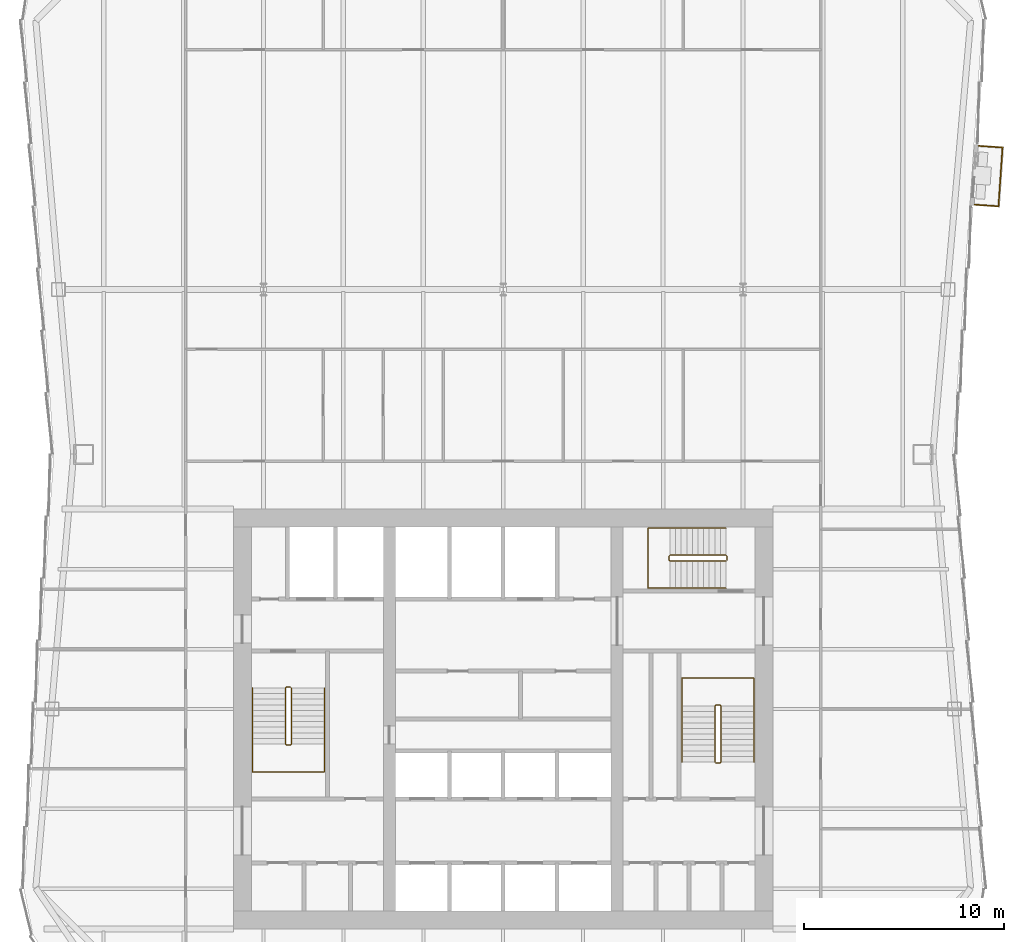
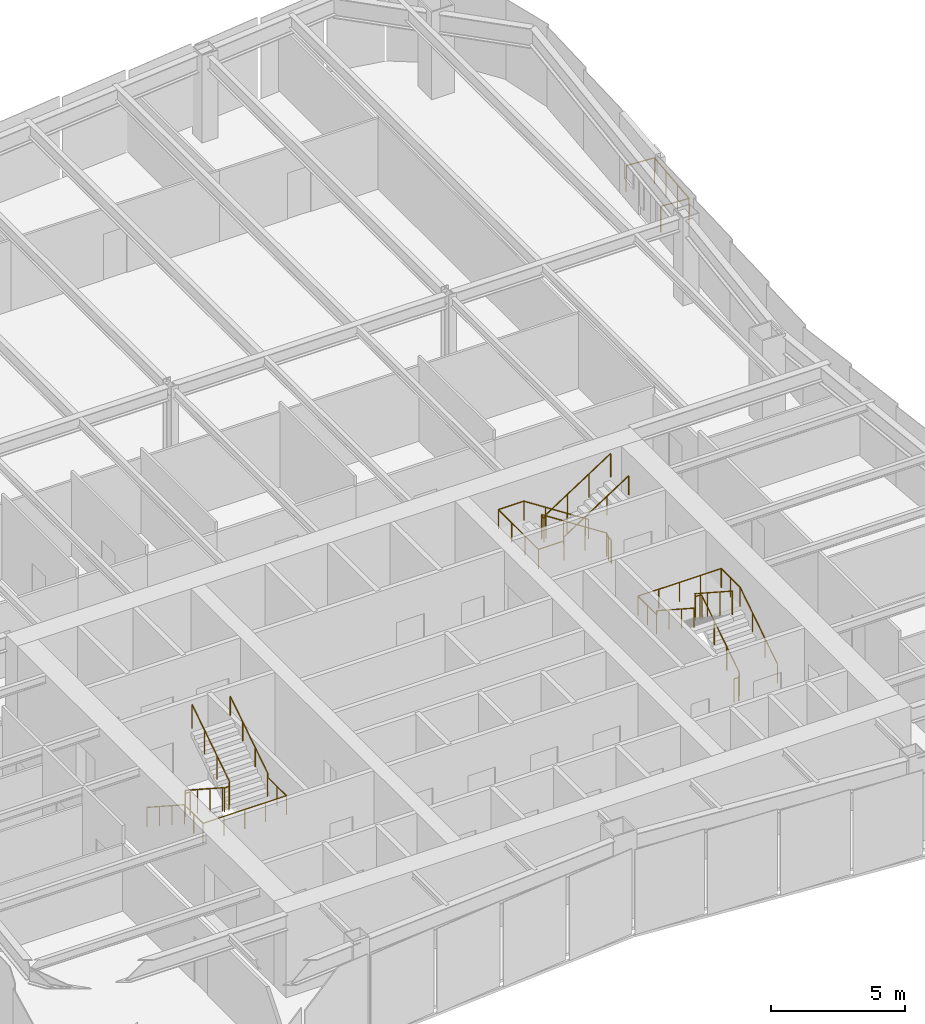
# One storey, part 9 of 10: 7 railings.
"""IFC4 building model written with IfcOpenShell, lengths in metres."""

from ifc_helpers import new_model, si_unit, direction, frame, origin, origin_2d, place, context, subcontext, project, spatial, circle, extrude, material, type_object, element, save


model = new_model("IFC4")

# Units and contexts
model_context = context("Model", 3, precision=1e-05, world=origin(), true_north=direction((0.0, 1.0)))
body_context = subcontext(model_context, "Body", "Model", "MODEL_VIEW")
ifc_project = project(units=[si_unit("LENGTHUNIT", "METRE"), si_unit("AREAUNIT", "SQUARE_METRE"), si_unit("VOLUMEUNIT", "CUBIC_METRE"), si_unit("PLANEANGLEUNIT", "RADIAN"), si_unit("MASSUNIT", "GRAM", prefix="KILO")], contexts=[model_context])

# Site, building, storey
site_placement = place(None, origin())
site = spatial("IfcSite", under=ifc_project, at=site_placement, CompositionType="ELEMENT")
building_placement = place(site_placement, origin())
building = spatial("IfcBuilding", under=site, at=building_placement, Name="Verdant Reach Tower", CompositionType="ELEMENT")
storey_placement = place(building_placement, frame((0.0, 0.0, 198.0)))
storey = spatial("IfcBuildingStorey", under=building, at=storey_placement, Name="L45", CompositionType="ELEMENT", Elevation=198.0)

# Railings
ifc_material_1 = material(Name="Stainless steel", Category="steel")
railing_type_1 = type_object("IfcRailingType", Name="CO-GUARD", PredefinedType="GUARDRAIL", material=ifc_material_1)
railing_1_placement = place(storey_placement, frame((-10.64990234375, 29.60009765625, 0.0)))
element("IfcRailing", 1, at=railing_1_placement, inside=storey, type_object=railing_type_1, Name="L45 ST-1 stair guard 1", PredefinedType="GUARDRAIL", context=body_context, shape_type="SweptSolid", body=[
    extrude(circle(Radius=0.02392578125, at=origin_2d()), frame((0.0, 0.0, 1.076171875), z_axis=(-1.0, 0.0, 0.0), x_axis=(0.0, -1.0, 0.0)), (0.0, 0.0, 1.0), 0.2001953125),
    extrude(circle(Radius=0.02392578125, at=origin_2d()), frame((-0.2001953125, 0.0, 1.076171875), z_axis=(-0.25526617399, -0.256517478764, 0.932222056972), x_axis=(0.708833529934, -0.705375805398, 0.0)), (0.0, 0.0, 1.0), 0.195068359375),
    extrude(circle(Radius=0.02392578125, at=origin_2d()), frame((-0.25, -0.050048828125, 1.2578125), z_axis=(0.0, -0.838705829183, 0.544584733623), x_axis=(1.0, 0.0, 0.0)), (0.0, 0.0, 1.0), 3.338623046875),
    extrude(circle(Radius=0.02392578125, at=origin_2d()), frame((-0.25, -2.85009765625, 3.076171875), z_axis=(0.705375805398, -0.708833529934, 0.0), x_axis=(0.708833529934, 0.705375805398, 0.0)), (0.0, 0.0, 1.0), 0.070556640625),
    extrude(circle(Radius=0.02392578125, at=origin_2d()), frame((-0.2001953125, -2.900146484375, 3.076171875), z_axis=(1.0, 0.0, 0.0), x_axis=(0.0, 1.0, 0.0)), (0.0, 0.0, 1.0), 0.2001953125),
    extrude(circle(Radius=0.02392578125, at=origin_2d()), frame((0.0, -2.900146484375, 3.076171875), z_axis=(0.25526617399, 0.256517478764, 0.932222056972), x_axis=(-0.708833529934, 0.705375805398, 0.0)), (0.0, 0.0, 1.0), 0.195068359375),
    extrude(circle(Radius=0.02392578125, at=origin_2d()), frame((0.0498046875, -2.85009765625, 3.2578125), z_axis=(0.0, 0.838705829183, 0.544584733623), x_axis=(-1.0, 0.0, 0.0)), (0.0, 0.0, 1.0), 3.338623046875),
    extrude(circle(Radius=0.02099609375, at=origin_2d()), origin(), (0.0, 0.0, 1.0), 1.052001953125),
    extrude(circle(Radius=0.02099609375, at=origin_2d()), frame((-0.2001953125, 0.0, 0.0)), (0.0, 0.0, 1.0), 1.052001953125),
    extrude(circle(Radius=0.02099609375, at=origin_2d()), frame((-0.25, -0.050048828125, 0.181884765625)), (0.0, 0.0, 1.0), 1.052001953125),
    extrude(circle(Radius=0.02099609375, at=origin_2d()), frame((-0.25, -0.9833984375, 0.787841796875)), (0.0, 0.0, 1.0), 1.052001953125),
    extrude(circle(Radius=0.02099609375, at=origin_2d()), frame((-0.25, -1.916748046875, 1.39404296875)), (0.0, 0.0, 1.0), 1.052001953125),
    extrude(circle(Radius=0.02099609375, at=origin_2d()), frame((-0.25, -2.85009765625, 2.0)), (0.0, 0.0, 1.0), 1.052001953125),
    extrude(circle(Radius=0.02099609375, at=origin_2d()), frame((-0.2001953125, -2.900146484375, 2.0)), (0.0, 0.0, 1.0), 1.052001953125),
    extrude(circle(Radius=0.02099609375, at=origin_2d()), frame((0.0, -2.900146484375, 2.0)), (0.0, 0.0, 1.0), 1.052001953125),
    extrude(circle(Radius=0.02099609375, at=origin_2d()), frame((0.0498046875, -2.85009765625, 2.181884765625)), (0.0, 0.0, 1.0), 1.052001953125),
    extrude(circle(Radius=0.02099609375, at=origin_2d()), frame((0.0498046875, -1.916748046875, 2.787841796875)), (0.0, 0.0, 1.0), 1.052001953125),
    extrude(circle(Radius=0.02099609375, at=origin_2d()), frame((0.0498046875, -0.9833984375, 3.39404296875)), (0.0, 0.0, 1.0), 1.052001953125),
    extrude(circle(Radius=0.02099609375, at=origin_2d()), frame((0.0498046875, -0.050048828125, 4.0)), (0.0, 0.0, 1.0), 1.052001953125),
])
railing_2_placement = place(storey_placement, frame((10.64990234375, 25.800048828125, 0.0)))
element("IfcRailing", 2, at=railing_2_placement, inside=storey, type_object=railing_type_1, Name="L45 ST-2 stair guard 1", PredefinedType="GUARDRAIL", context=body_context, shape_type="SweptSolid", body=[
    extrude(circle(Radius=0.02392578125, at=origin_2d()), frame((0.0, 0.0, 1.076171875), z_axis=(1.0, 0.0, 0.0), x_axis=(0.0, 1.0, 0.0)), (0.0, 0.0, 1.0), 0.2001953125),
    extrude(circle(Radius=0.02392578125, at=origin_2d()), frame((0.2001953125, 0.0, 1.076171875), z_axis=(0.25526617399, 0.256517478764, 0.932222056972), x_axis=(-0.708833529934, 0.705375805398, 0.0)), (0.0, 0.0, 1.0), 0.195068359375),
    extrude(circle(Radius=0.02392578125, at=origin_2d()), frame((0.25, 0.050048828125, 1.2578125), z_axis=(0.0, 0.83868413941, 0.544618136222), x_axis=(-1.0, 0.0, 0.0)), (0.0, 0.0, 1.0), 3.33837890625),
    extrude(circle(Radius=0.02392578125, at=origin_2d()), frame((0.25, 2.849853515625, 3.076171875), z_axis=(-0.705375805398, 0.708833529934, 0.0), x_axis=(-0.708833529934, -0.705375805398, 0.0)), (0.0, 0.0, 1.0), 0.070556640625),
    extrude(circle(Radius=0.02392578125, at=origin_2d()), frame((0.2001953125, 2.89990234375, 3.076171875), z_axis=(-1.0, 0.0, 0.0), x_axis=(0.0, -1.0, 0.0)), (0.0, 0.0, 1.0), 0.2001953125),
    extrude(circle(Radius=0.02392578125, at=origin_2d()), frame((0.0, 2.89990234375, 3.076171875), z_axis=(-0.25526617399, -0.256517478764, 0.932222056972), x_axis=(0.708833529934, -0.705375805398, 0.0)), (0.0, 0.0, 1.0), 0.195068359375),
    extrude(circle(Radius=0.02392578125, at=origin_2d()), frame((-0.0498046875, 2.849853515625, 3.2578125), z_axis=(0.0, -0.83868413941, 0.544618136222), x_axis=(1.0, 0.0, 0.0)), (0.0, 0.0, 1.0), 3.33837890625),
    extrude(circle(Radius=0.02099609375, at=origin_2d()), origin(), (0.0, 0.0, 1.0), 1.052001953125),
    extrude(circle(Radius=0.02099609375, at=origin_2d()), frame((0.2001953125, 0.0, 0.0)), (0.0, 0.0, 1.0), 1.052001953125),
    extrude(circle(Radius=0.02099609375, at=origin_2d()), frame((0.25, 0.050048828125, 0.181884765625)), (0.0, 0.0, 1.0), 1.052001953125),
    extrude(circle(Radius=0.02099609375, at=origin_2d()), frame((0.25, 0.9833984375, 0.787841796875)), (0.0, 0.0, 1.0), 1.052001953125),
    extrude(circle(Radius=0.02099609375, at=origin_2d()), frame((0.25, 1.91650390625, 1.39404296875)), (0.0, 0.0, 1.0), 1.052001953125),
    extrude(circle(Radius=0.02099609375, at=origin_2d()), frame((0.25, 2.849853515625, 2.0)), (0.0, 0.0, 1.0), 1.052001953125),
    extrude(circle(Radius=0.02099609375, at=origin_2d()), frame((0.2001953125, 2.89990234375, 2.0)), (0.0, 0.0, 1.0), 1.052001953125),
    extrude(circle(Radius=0.02099609375, at=origin_2d()), frame((0.0, 2.89990234375, 2.0)), (0.0, 0.0, 1.0), 1.052001953125),
    extrude(circle(Radius=0.02099609375, at=origin_2d()), frame((-0.0498046875, 2.849853515625, 2.181884765625)), (0.0, 0.0, 1.0), 1.052001953125),
    extrude(circle(Radius=0.02099609375, at=origin_2d()), frame((-0.0498046875, 1.91650390625, 2.787841796875)), (0.0, 0.0, 1.0), 1.052001953125),
    extrude(circle(Radius=0.02099609375, at=origin_2d()), frame((-0.0498046875, 0.9833984375, 3.39404296875)), (0.0, 0.0, 1.0), 1.052001953125),
    extrude(circle(Radius=0.02099609375, at=origin_2d()), frame((-0.0498046875, 0.050048828125, 4.0)), (0.0, 0.0, 1.0), 1.052001953125),
])
railing_3_placement = place(storey_placement, frame((11.199951171875, 35.949951171875, 0.0)))
element("IfcRailing", 3, at=railing_3_placement, inside=storey, type_object=railing_type_1, Name="L45 ST-3 stair guard 1", PredefinedType="GUARDRAIL", context=body_context, shape_type="SweptSolid", body=[
    extrude(circle(Radius=0.02392578125, at=origin_2d()), frame((0.0, 0.0, 1.076171875), z_axis=(0.0, 1.0, 0.0), x_axis=(-1.0, 0.0, 0.0)), (0.0, 0.0, 1.0), 0.199951171875),
    extrude(circle(Radius=0.02392578125, at=origin_2d()), frame((0.0, 0.199951171875, 1.076171875), z_axis=(-0.256435381639, 0.256435381639, 0.931923704005), x_axis=(-0.707106781187, -0.707106781187, 0.0)), (0.0, 0.0, 1.0), 0.195068359375),
    extrude(circle(Radius=0.02392578125, at=origin_2d()), frame((-0.050048828125, 0.25, 1.2578125), z_axis=(-0.83868413941, 0.0, 0.544618136222), x_axis=(0.0, -1.0, 0.0)), (0.0, 0.0, 1.0), 3.33837890625),
    extrude(circle(Radius=0.02392578125, at=origin_2d()), frame((-2.849853515625, 0.25, 3.076171875), z_axis=(-0.707106781187, -0.707106781187, 0.0), x_axis=(0.707106781187, -0.707106781187, 0.0)), (0.0, 0.0, 1.0), 0.07080078125),
    extrude(circle(Radius=0.02392578125, at=origin_2d()), frame((-2.89990234375, 0.199951171875, 3.076171875), z_axis=(0.0, -1.0, 0.0), x_axis=(1.0, 0.0, 0.0)), (0.0, 0.0, 1.0), 0.199951171875),
    extrude(circle(Radius=0.02392578125, at=origin_2d()), frame((-2.89990234375, 0.0, 3.076171875), z_axis=(0.256435381639, -0.256435381639, 0.931923704005), x_axis=(0.707106781187, 0.707106781187, 0.0)), (0.0, 0.0, 1.0), 0.195068359375),
    extrude(circle(Radius=0.02392578125, at=origin_2d()), frame((-2.849853515625, -0.050048828125, 3.2578125), z_axis=(0.83868413941, 0.0, 0.544618136222), x_axis=(0.0, 1.0, 0.0)), (0.0, 0.0, 1.0), 3.33837890625),
    extrude(circle(Radius=0.02099609375, at=origin_2d()), origin(), (0.0, 0.0, 1.0), 1.052001953125),
    extrude(circle(Radius=0.02099609375, at=origin_2d()), frame((0.0, 0.199951171875, 0.0)), (0.0, 0.0, 1.0), 1.052001953125),
    extrude(circle(Radius=0.02099609375, at=origin_2d()), frame((-0.050048828125, 0.25, 0.181884765625)), (0.0, 0.0, 1.0), 1.052001953125),
    extrude(circle(Radius=0.02099609375, at=origin_2d()), frame((-0.9833984375, 0.25, 0.787841796875)), (0.0, 0.0, 1.0), 1.052001953125),
    extrude(circle(Radius=0.02099609375, at=origin_2d()), frame((-1.91650390625, 0.25, 1.39404296875)), (0.0, 0.0, 1.0), 1.052001953125),
    extrude(circle(Radius=0.02099609375, at=origin_2d()), frame((-2.849853515625, 0.25, 2.0)), (0.0, 0.0, 1.0), 1.052001953125),
    extrude(circle(Radius=0.02099609375, at=origin_2d()), frame((-2.89990234375, 0.199951171875, 2.0)), (0.0, 0.0, 1.0), 1.052001953125),
    extrude(circle(Radius=0.02099609375, at=origin_2d()), frame((-2.89990234375, 0.0, 2.0)), (0.0, 0.0, 1.0), 1.052001953125),
    extrude(circle(Radius=0.02099609375, at=origin_2d()), frame((-2.849853515625, -0.050048828125, 2.181884765625)), (0.0, 0.0, 1.0), 1.052001953125),
    extrude(circle(Radius=0.02099609375, at=origin_2d()), frame((-1.91650390625, -0.050048828125, 2.787841796875)), (0.0, 0.0, 1.0), 1.052001953125),
    extrude(circle(Radius=0.02099609375, at=origin_2d()), frame((-0.9833984375, -0.050048828125, 3.39404296875)), (0.0, 0.0, 1.0), 1.052001953125),
    extrude(circle(Radius=0.02099609375, at=origin_2d()), frame((-0.050048828125, -0.050048828125, 4.0)), (0.0, 0.0, 1.0), 1.052001953125),
])
railing_type_2 = type_object("IfcRailingType", Name="CO-HANDRAIL", PredefinedType="HANDRAIL", material=ifc_material_1)
railing_4_placement = place(storey_placement, frame((-12.550048828125, 29.550048828125, 0.181884765625)))
element("IfcRailing", 4, at=railing_4_placement, inside=storey, type_object=railing_type_2, Name="L45 ST-1 stair handrail 1", PredefinedType="HANDRAIL", context=body_context, shape_type="SweptSolid", body=[
    extrude(circle(Radius=0.02392578125, at=origin_2d()), frame((0.0, 0.0, 0.8759765625), z_axis=(0.0, -0.838705829183, 0.544584733623), x_axis=(1.0, 0.0, 0.0)), (0.0, 0.0, 1.0), 3.338623046875),
    extrude(circle(Radius=0.02392578125, at=origin_2d()), frame((0.0, -2.800048828125, 2.69384765625), z_axis=(0.0, -1.0, 0.0), x_axis=(1.0, 0.0, 0.0)), (0.0, 0.0, 1.0), 1.39990234375),
    extrude(circle(Radius=0.02392578125, at=origin_2d()), frame((0.0, -4.199951171875, 2.69384765625), z_axis=(1.0, 0.0, 0.0), x_axis=(0.0, 1.0, 0.0)), (0.0, 0.0, 1.0), 3.60009765625),
    extrude(circle(Radius=0.02392578125, at=origin_2d()), frame((3.60009765625, -4.199951171875, 2.69384765625), z_axis=(0.0, 1.0, 0.0), x_axis=(-1.0, 0.0, 0.0)), (0.0, 0.0, 1.0), 1.39990234375),
    extrude(circle(Radius=0.02392578125, at=origin_2d()), frame((3.60009765625, -2.800048828125, 2.69384765625), z_axis=(0.0, 0.0, 1.0), x_axis=(1.0, 0.0, 0.0)), (0.0, 0.0, 1.0), 0.181884765625),
    extrude(circle(Radius=0.02392578125, at=origin_2d()), frame((3.60009765625, -2.800048828125, 2.8759765625), z_axis=(0.0, 0.838705829183, 0.544584733623), x_axis=(-1.0, 0.0, 0.0)), (0.0, 0.0, 1.0), 3.338623046875),
    extrude(circle(Radius=0.02099609375, at=origin_2d()), origin(), (0.0, 0.0, 1.0), 0.851806640625),
    extrude(circle(Radius=0.02099609375, at=origin_2d()), frame((0.0, -0.933349609375, 0.60595703125)), (0.0, 0.0, 1.0), 0.851806640625),
    extrude(circle(Radius=0.02099609375, at=origin_2d()), frame((0.0, -1.86669921875, 1.212158203125)), (0.0, 0.0, 1.0), 0.851806640625),
    extrude(circle(Radius=0.02099609375, at=origin_2d()), frame((0.0, -2.800048828125, 1.818115234375)), (0.0, 0.0, 1.0), 0.851806640625),
    extrude(circle(Radius=0.02099609375, at=origin_2d()), frame((0.0, -3.5, 1.818115234375)), (0.0, 0.0, 1.0), 0.851806640625),
    extrude(circle(Radius=0.02099609375, at=origin_2d()), frame((0.0, -4.199951171875, 1.818115234375)), (0.0, 0.0, 1.0), 0.851806640625),
    extrude(circle(Radius=0.02099609375, at=origin_2d()), frame((0.89990234375, -4.199951171875, 1.818115234375)), (0.0, 0.0, 1.0), 0.851806640625),
    extrude(circle(Radius=0.02099609375, at=origin_2d()), frame((1.800048828125, -4.199951171875, 1.818115234375)), (0.0, 0.0, 1.0), 0.851806640625),
    extrude(circle(Radius=0.02099609375, at=origin_2d()), frame((2.7001953125, -4.199951171875, 1.818115234375)), (0.0, 0.0, 1.0), 0.851806640625),
    extrude(circle(Radius=0.02099609375, at=origin_2d()), frame((3.60009765625, -4.199951171875, 1.818115234375)), (0.0, 0.0, 1.0), 0.851806640625),
    extrude(circle(Radius=0.02099609375, at=origin_2d()), frame((3.60009765625, -3.5, 1.818115234375)), (0.0, 0.0, 1.0), 0.851806640625),
    extrude(circle(Radius=0.02099609375, at=origin_2d()), frame((3.60009765625, -2.800048828125, 1.818115234375)), (0.0, 0.0, 1.0), 0.851806640625),
    extrude(circle(Radius=0.02099609375, at=origin_2d()), frame((3.60009765625, -2.800048828125, 2.0)), (0.0, 0.0, 1.0), 0.851806640625),
    extrude(circle(Radius=0.02099609375, at=origin_2d()), frame((3.60009765625, -1.86669921875, 2.60595703125)), (0.0, 0.0, 1.0), 0.851806640625),
    extrude(circle(Radius=0.02099609375, at=origin_2d()), frame((3.60009765625, -0.933349609375, 3.212158203125)), (0.0, 0.0, 1.0), 0.851806640625),
    extrude(circle(Radius=0.02099609375, at=origin_2d()), frame((3.60009765625, 0.0, 3.818115234375)), (0.0, 0.0, 1.0), 0.851806640625),
])
railing_5_placement = place(storey_placement, frame((12.550048828125, 25.85009765625, 0.181884765625)))
element("IfcRailing", 5, at=railing_5_placement, inside=storey, type_object=railing_type_2, Name="L45 ST-2 stair handrail 1", PredefinedType="HANDRAIL", context=body_context, shape_type="SweptSolid", body=[
    extrude(circle(Radius=0.02392578125, at=origin_2d()), frame((0.0, 0.0, 0.8759765625), z_axis=(0.0, 0.83868413941, 0.544618136222), x_axis=(-1.0, 0.0, 0.0)), (0.0, 0.0, 1.0), 3.33837890625),
    extrude(circle(Radius=0.02392578125, at=origin_2d()), frame((0.0, 2.7998046875, 2.69384765625), z_axis=(0.0, 1.0, 0.0), x_axis=(-1.0, 0.0, 0.0)), (0.0, 0.0, 1.0), 1.400146484375),
    extrude(circle(Radius=0.02392578125, at=origin_2d()), frame((0.0, 4.199951171875, 2.69384765625), z_axis=(-1.0, 0.0, 0.0), x_axis=(0.0, -1.0, 0.0)), (0.0, 0.0, 1.0), 3.60009765625),
    extrude(circle(Radius=0.02392578125, at=origin_2d()), frame((-3.60009765625, 4.199951171875, 2.69384765625), z_axis=(0.0, -1.0, 0.0), x_axis=(1.0, 0.0, 0.0)), (0.0, 0.0, 1.0), 1.400146484375),
    extrude(circle(Radius=0.02392578125, at=origin_2d()), frame((-3.60009765625, 2.7998046875, 2.69384765625), z_axis=(0.0, 0.0, 1.0), x_axis=(1.0, 0.0, 0.0)), (0.0, 0.0, 1.0), 0.181884765625),
    extrude(circle(Radius=0.02392578125, at=origin_2d()), frame((-3.60009765625, 2.7998046875, 2.8759765625), z_axis=(0.0, -0.83868413941, 0.544618136222), x_axis=(1.0, 0.0, 0.0)), (0.0, 0.0, 1.0), 3.33837890625),
    extrude(circle(Radius=0.02099609375, at=origin_2d()), origin(), (0.0, 0.0, 1.0), 0.851806640625),
    extrude(circle(Radius=0.02099609375, at=origin_2d()), frame((0.0, 0.933349609375, 0.60595703125)), (0.0, 0.0, 1.0), 0.851806640625),
    extrude(circle(Radius=0.02099609375, at=origin_2d()), frame((0.0, 1.866455078125, 1.212158203125)), (0.0, 0.0, 1.0), 0.851806640625),
    extrude(circle(Radius=0.02099609375, at=origin_2d()), frame((0.0, 2.7998046875, 1.818115234375)), (0.0, 0.0, 1.0), 0.851806640625),
    extrude(circle(Radius=0.02099609375, at=origin_2d()), frame((0.0, 3.5, 1.818115234375)), (0.0, 0.0, 1.0), 0.851806640625),
    extrude(circle(Radius=0.02099609375, at=origin_2d()), frame((0.0, 4.199951171875, 1.818115234375)), (0.0, 0.0, 1.0), 0.851806640625),
    extrude(circle(Radius=0.02099609375, at=origin_2d()), frame((-0.89990234375, 4.199951171875, 1.818115234375)), (0.0, 0.0, 1.0), 0.851806640625),
    extrude(circle(Radius=0.02099609375, at=origin_2d()), frame((-1.800048828125, 4.199951171875, 1.818115234375)), (0.0, 0.0, 1.0), 0.851806640625),
    extrude(circle(Radius=0.02099609375, at=origin_2d()), frame((-2.7001953125, 4.199951171875, 1.818115234375)), (0.0, 0.0, 1.0), 0.851806640625),
    extrude(circle(Radius=0.02099609375, at=origin_2d()), frame((-3.60009765625, 4.199951171875, 1.818115234375)), (0.0, 0.0, 1.0), 0.851806640625),
    extrude(circle(Radius=0.02099609375, at=origin_2d()), frame((-3.60009765625, 3.5, 1.818115234375)), (0.0, 0.0, 1.0), 0.851806640625),
    extrude(circle(Radius=0.02099609375, at=origin_2d()), frame((-3.60009765625, 2.7998046875, 1.818115234375)), (0.0, 0.0, 1.0), 0.851806640625),
    extrude(circle(Radius=0.02099609375, at=origin_2d()), frame((-3.60009765625, 2.7998046875, 2.0)), (0.0, 0.0, 1.0), 0.851806640625),
    extrude(circle(Radius=0.02099609375, at=origin_2d()), frame((-3.60009765625, 1.866455078125, 2.60595703125)), (0.0, 0.0, 1.0), 0.851806640625),
    extrude(circle(Radius=0.02099609375, at=origin_2d()), frame((-3.60009765625, 0.933349609375, 3.212158203125)), (0.0, 0.0, 1.0), 0.851806640625),
    extrude(circle(Radius=0.02099609375, at=origin_2d()), frame((-3.60009765625, 0.0, 3.818115234375)), (0.0, 0.0, 1.0), 0.851806640625),
])
railing_6_placement = place(storey_placement, frame((11.14990234375, 37.550048828125, 0.181884765625)))
element("IfcRailing", 6, at=railing_6_placement, inside=storey, type_object=railing_type_2, Name="L45 ST-3 stair handrail 1", PredefinedType="HANDRAIL", context=body_context, shape_type="SweptSolid", body=[
    extrude(circle(Radius=0.02392578125, at=origin_2d()), frame((0.0, 0.0, 0.8759765625), z_axis=(-0.83868413941, 0.0, 0.544618136222), x_axis=(0.0, -1.0, 0.0)), (0.0, 0.0, 1.0), 3.33837890625),
    extrude(circle(Radius=0.02392578125, at=origin_2d()), frame((-2.7998046875, 0.0, 2.69384765625), z_axis=(-1.0, 0.0, 0.0), x_axis=(0.0, -1.0, 0.0)), (0.0, 0.0, 1.0), 1.10009765625),
    extrude(circle(Radius=0.02392578125, at=origin_2d()), frame((-3.89990234375, 0.0, 2.69384765625), z_axis=(0.0, -1.0, 0.0), x_axis=(1.0, 0.0, 0.0)), (0.0, 0.0, 1.0), 3.0),
    extrude(circle(Radius=0.02392578125, at=origin_2d()), frame((-3.89990234375, -3.0, 2.69384765625), z_axis=(1.0, 0.0, 0.0), x_axis=(0.0, 1.0, 0.0)), (0.0, 0.0, 1.0), 1.10009765625),
    extrude(circle(Radius=0.02392578125, at=origin_2d()), frame((-2.7998046875, -3.0, 2.69384765625), z_axis=(0.0, 0.0, 1.0), x_axis=(1.0, 0.0, 0.0)), (0.0, 0.0, 1.0), 0.181884765625),
    extrude(circle(Radius=0.02392578125, at=origin_2d()), frame((-2.7998046875, -3.0, 2.8759765625), z_axis=(0.83868413941, 0.0, 0.544618136222), x_axis=(0.0, 1.0, 0.0)), (0.0, 0.0, 1.0), 3.33837890625),
    extrude(circle(Radius=0.02099609375, at=origin_2d()), origin(), (0.0, 0.0, 1.0), 0.851806640625),
    extrude(circle(Radius=0.02099609375, at=origin_2d()), frame((-0.933349609375, 0.0, 0.60595703125)), (0.0, 0.0, 1.0), 0.851806640625),
    extrude(circle(Radius=0.02099609375, at=origin_2d()), frame((-1.866455078125, 0.0, 1.212158203125)), (0.0, 0.0, 1.0), 0.851806640625),
    extrude(circle(Radius=0.02099609375, at=origin_2d()), frame((-2.7998046875, 0.0, 1.818115234375)), (0.0, 0.0, 1.0), 0.851806640625),
    extrude(circle(Radius=0.02099609375, at=origin_2d()), frame((-3.89990234375, 0.0, 1.818115234375)), (0.0, 0.0, 1.0), 0.851806640625),
    extrude(circle(Radius=0.02099609375, at=origin_2d()), frame((-3.89990234375, -1.0, 1.818115234375)), (0.0, 0.0, 1.0), 0.851806640625),
    extrude(circle(Radius=0.02099609375, at=origin_2d()), frame((-3.89990234375, -2.0, 1.818115234375)), (0.0, 0.0, 1.0), 0.851806640625),
    extrude(circle(Radius=0.02099609375, at=origin_2d()), frame((-3.89990234375, -3.0, 1.818115234375)), (0.0, 0.0, 1.0), 0.851806640625),
    extrude(circle(Radius=0.02099609375, at=origin_2d()), frame((-2.7998046875, -3.0, 1.818115234375)), (0.0, 0.0, 1.0), 0.851806640625),
    extrude(circle(Radius=0.02099609375, at=origin_2d()), frame((-2.7998046875, -3.0, 2.0)), (0.0, 0.0, 1.0), 0.851806640625),
    extrude(circle(Radius=0.02099609375, at=origin_2d()), frame((-1.866455078125, -3.0, 2.60595703125)), (0.0, 0.0, 1.0), 0.851806640625),
    extrude(circle(Radius=0.02099609375, at=origin_2d()), frame((-0.933349609375, -3.0, 3.212158203125)), (0.0, 0.0, 1.0), 0.851806640625),
    extrude(circle(Radius=0.02099609375, at=origin_2d()), frame((0.0, -3.0, 3.818115234375)), (0.0, 0.0, 1.0), 0.851806640625),
])
ifc_material_2 = material(Name="Stainless steel and laminated glass balustrade", Category="steel")
railing_type_3 = type_object("IfcRailingType", Name="EN-RAILING BALCONY", PredefinedType="GUARDRAIL", material=ifc_material_2)
railing_7_placement = place(storey_placement, frame((23.6103515625, 53.744384765625, 0.0)))
element("IfcRailing", 7, at=railing_7_placement, inside=storey, type_object=railing_type_3, Name="Balcony guard 1, L45", PredefinedType="GUARDRAIL", context=body_context, shape_type="SweptSolid", body=[
    extrude(circle(Radius=0.02490234375, at=origin_2d()), frame((0.0, 0.0, 1.1748046875), z_axis=(0.997631794817, -0.068780825605, 0.0), x_axis=(0.068780825605, 0.997631794817, 0.0)), (0.0, 0.0, 1.0), 1.181884765625),
    extrude(circle(Radius=0.02490234375, at=origin_2d()), frame((1.17919921875, -0.081298828125, 1.1748046875), z_axis=(0.068810617056, 0.997629740425, 0.0), x_axis=(-0.997629740425, 0.068810617056, 0.0)), (0.0, 0.0, 1.0), 2.948486328125),
    extrude(circle(Radius=0.02490234375, at=origin_2d()), frame((1.382080078125, 2.860107421875, 1.1748046875), z_axis=(-0.997631794817, 0.068780825605, 0.0), x_axis=(-0.068780825605, -0.997631794817, 0.0)), (0.0, 0.0, 1.0), 1.181884765625),
    extrude(circle(Radius=0.02490234375, at=origin_2d()), origin(), (0.0, 0.0, 1.0), 1.14990234375),
    extrude(circle(Radius=0.02490234375, at=origin_2d()), frame((1.17919921875, -0.081298828125, 0.0)), (0.0, 0.0, 1.0), 1.14990234375),
    extrude(circle(Radius=0.02490234375, at=origin_2d()), frame((1.246826171875, 0.899169921875, 0.0)), (0.0, 0.0, 1.0), 1.14990234375),
    extrude(circle(Radius=0.02490234375, at=origin_2d()), frame((1.314453125, 1.879638671875, 0.0)), (0.0, 0.0, 1.0), 1.14990234375),
    extrude(circle(Radius=0.02490234375, at=origin_2d()), frame((1.382080078125, 2.860107421875, 0.0)), (0.0, 0.0, 1.0), 1.14990234375),
    extrude(circle(Radius=0.02490234375, at=origin_2d()), frame((0.202880859375, 2.94140625, 0.0)), (0.0, 0.0, 1.0), 1.14990234375),
])

save(model, "model.ifc")
